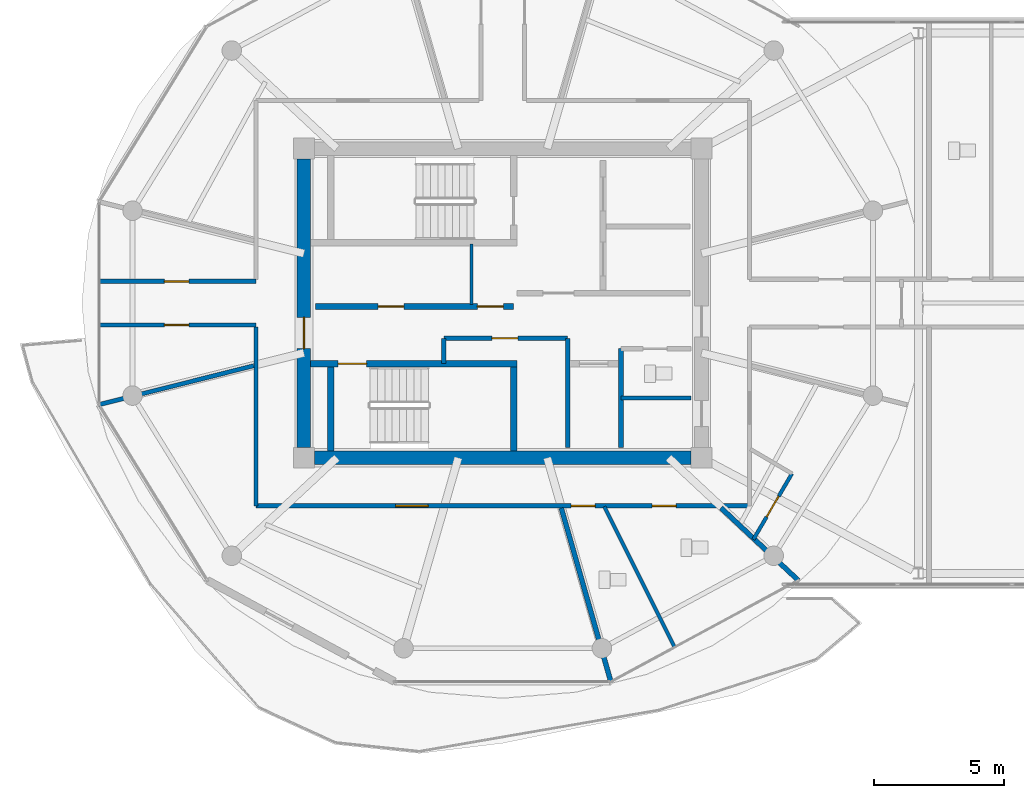
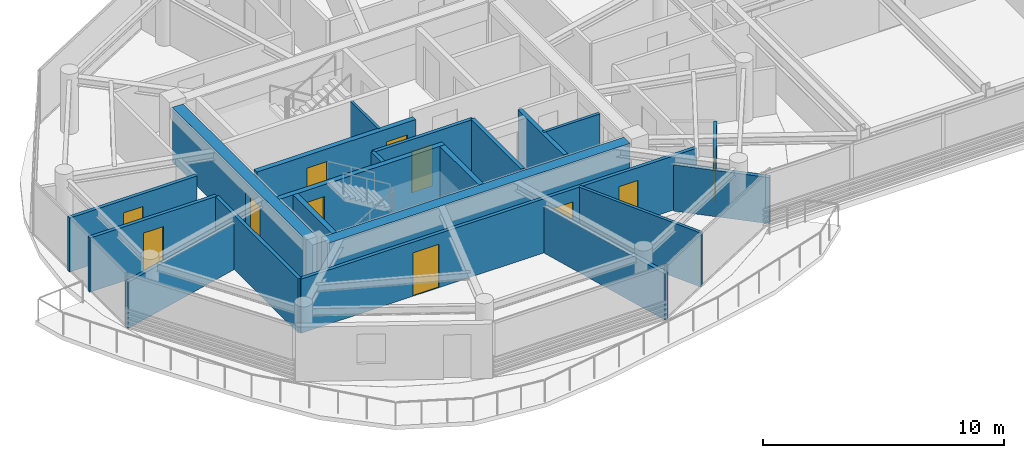
# One storey, part 14 of 24: 21 walls, 11 doors, 11 openings.
"""IFC4 building model written with IfcOpenShell, lengths in metres."""

from ifc_helpers import new_model, si_unit, direction, frame, frame_2d, origin, place, context, subcontext, project, spatial, rectangle, extrude, source, transform, mapped, material, layer, layer_set, type_object, type_shapes, element, fill, save


model = new_model("IFC4")

# Units and contexts
model_context = context("Model", 3, precision=1e-05, world=origin(), true_north=direction((0.0, 1.0)))
body_context = subcontext(model_context, "Body", "Model", "MODEL_VIEW")
ifc_project = project(units=[si_unit("LENGTHUNIT", "METRE"), si_unit("AREAUNIT", "SQUARE_METRE"), si_unit("VOLUMEUNIT", "CUBIC_METRE"), si_unit("PLANEANGLEUNIT", "RADIAN"), si_unit("MASSUNIT", "GRAM", prefix="KILO")], contexts=[model_context])

# Site, building, storey
site_placement = place(None, origin())
site = spatial("IfcSite", under=ifc_project, at=site_placement, CompositionType="ELEMENT")
building_placement = place(site_placement, origin())
building = spatial("IfcBuilding", under=site, at=building_placement, Name="Norrkilde Senior Care Towers", CompositionType="ELEMENT")
storey_placement = place(building_placement, frame((0.0, 0.0, 226.10009765625)))
storey = spatial("IfcBuildingStorey", under=building, at=storey_placement, Name="L70", CompositionType="ELEMENT", Elevation=226.10009765625)

# Wall
ifc_material_1 = material(Name="Concrete C50/60", Category="concrete")
ifc_layer_1 = layer(ifc_material_1, 0.52001953125)
ifc_layer_set_1 = layer_set([ifc_layer_1], Name="Concrete C50/60")
wall_type_1 = type_object("IfcWallType", Name="Core Shear Wall Z4 520", PredefinedType="SHEAR", material=ifc_layer_set_1)
shared_shape_1 = source(origin(), body_context, "Body", "SweptSolid", [
    extrude(rectangle(XDim=14.5, YDim=0.52001953125, at=frame_2d((7.25, 0.0))), origin(), (0.0, 0.0, 1.0), 2.760009765625),
])
wall_1_placement = place(storey_placement, frame((-20.75, -5.949951171875, 0.0), z_axis=(0.0, 0.0, 1.0), x_axis=(-1.0, 0.0, 0.0)))
element("IfcWall", 1, at=wall_1_placement, inside=storey, type_object=wall_type_1, Name="L70 Core W South Shear Wall", PredefinedType="SHEAR", context=body_context, shape_type="MappedRepresentation", body=[
    mapped(shared_shape_1, transform((0.0, 0.0, 0.0), x_axis=(1.0, 0.0, 0.0), y_axis=(0.0, 1.0, 0.0), z_axis=(0.0, 0.0, 1.0), scale=1.0)),
])

# Wall, opening, door
shared_shape_2 = source(origin(), body_context, "Body", "SweptSolid", [
    extrude(rectangle(XDim=11.10009765625, YDim=0.52001953125, at=frame_2d((5.550048828125, 0.0))), origin(), (0.0, 0.0, 1.0), 2.760009765625),
])
type_shapes(wall_type_1, [shared_shape_1, shared_shape_2])
wall_2_placement = place(storey_placement, frame((-35.64990234375, -5.550048828125, 0.0), z_axis=(0.0, 0.0, 1.0), x_axis=(0.0, 1.0, 0.0)))
wall_2 = element("IfcWall", 2, at=wall_2_placement, inside=storey, type_object=wall_type_1, Name="L70 Core W West Shear Wall", PredefinedType="SHEAR", context=body_context, shape_type="MappedRepresentation", body=[
    mapped(shared_shape_2, transform((0.0, 0.0, 0.0), x_axis=(1.0, 0.0, 0.0), y_axis=(0.0, 1.0, 0.0), z_axis=(0.0, 0.0, 1.0), scale=1.0)),
])
opening_1_placement = place(wall_2_placement, frame((3.800048828125, 0.0, 0.0)))
opening_1 = element("IfcOpeningElement", 3, at=opening_1_placement, cuts=wall_2, Name="Opening D-04", PredefinedType="OPENING", context=body_context, shape_type="SweptSolid", body=[
    extrude(rectangle(XDim=1.199951171875, YDim=2.14990234375, at=frame_2d((0.60009765625, 1.074951171875))), frame((0.0, 0.27001953125, 0.0), z_axis=(0.0, -1.0, 0.0), x_axis=(1.0, 0.0, 0.0)), (0.0, 0.0, 1.0), 0.5400390625),
])
ifc_material_2 = material(Name="Galvanised Painted Steel", Category="steel")
door_type_1 = type_object("IfcDoorType", Name="Firefighting Lobby Fire Door 1200x2150", OperationType="NOTDEFINED", PredefinedType="DOOR", material=ifc_material_2)
shared_shape_3 = source(origin(), body_context, "Body", "SweptSolid", [
    extrude(rectangle(XDim=1.199951171875, YDim=2.14990234375, at=frame_2d((0.60009765625, 1.074951171875))), frame((0.0, 0.02490234375, 0.0), z_axis=(0.0, -1.0, 0.0), x_axis=(1.0, 0.0, 0.0)), (0.0, 0.0, 1.0), 0.050048828125),
])
type_shapes(door_type_1, [shared_shape_3])
door_1_placement = place(opening_1_placement, frame((1.199951171875, 0.0, 0.0), z_axis=(0.0, 0.0, 1.0), x_axis=(-1.0, 0.0, 0.0)))
door_1 = element("IfcDoor", 4, at=door_1_placement, inside=storey, type_object=door_type_1, Name="L70 Core W West Portal Door", OperationType="SINGLE_SWING_LEFT", OverallHeight=2.14990234375, OverallWidth=1.199951171875, PredefinedType="DOOR", context=body_context, shape_type="MappedRepresentation", body=[
    mapped(shared_shape_3, transform((0.0, 0.0, 0.0), x_axis=(1.0, 0.0, 0.0), y_axis=(0.0, 1.0, 0.0), z_axis=(0.0, 0.0, 1.0), scale=1.0)),
])
fill(opening_1, door_1)

ifc_material_3 = material(Name="Concrete C45/55", Category="concrete")
ifc_layer_2 = layer(ifc_material_3, 0.239990234375)
ifc_layer_set_2 = layer_set([ifc_layer_2], Name="Concrete C45/55")
wall_type_2 = type_object("IfcWallType", Name="Shaft and Stair Enclosure Wall 240", PredefinedType="PARTITIONING", material=ifc_layer_set_2)
shared_shape_4 = source(origin(), body_context, "Body", "SweptSolid", [
    extrude(rectangle(XDim=7.929931640625, YDim=0.239990234375, at=frame_2d((3.96484375, 0.0))), origin(), (0.0, 0.0, 1.0), 2.760009765625),
])
wall_3_placement = place(storey_placement, frame((-35.389892578125, -2.330078125, 0.0), z_axis=(0.0, 0.0, 1.0), x_axis=(1.0, 0.0, 0.0)))
wall_3 = element("IfcWall", 5, at=wall_3_placement, inside=storey, type_object=wall_type_2, Name="WL-INT-L70-W-ST2N", PredefinedType="PARTITIONING", context=body_context, shape_type="MappedRepresentation", body=[
    mapped(shared_shape_4, transform((0.0, 0.0, 0.0), x_axis=(1.0, 0.0, 0.0), y_axis=(0.0, 1.0, 0.0), z_axis=(0.0, 0.0, 1.0), scale=1.0)),
])
opening_2_placement = place(wall_3_placement, frame((1.050048828125, 0.0, 0.0)))
opening_2 = element("IfcOpeningElement", 6, at=opening_2_placement, cuts=wall_3, Name="Opening D-03", PredefinedType="OPENING", context=body_context, shape_type="SweptSolid", body=[
    extrude(rectangle(XDim=1.10009765625, YDim=2.14990234375, at=frame_2d((0.550048828125, 1.074951171875))), frame((0.0, 0.1298828125, 0.0), z_axis=(0.0, -1.0, 0.0), x_axis=(1.0, 0.0, 0.0)), (0.0, 0.0, 1.0), 0.260009765625),
])
door_type_2 = type_object("IfcDoorType", Name="Stairwell Protected Fire Door 1100x2150", OperationType="NOTDEFINED", PredefinedType="DOOR", material=ifc_material_2)
shared_shape_5 = source(origin(), body_context, "Body", "SweptSolid", [
    extrude(rectangle(XDim=1.10009765625, YDim=2.14990234375, at=frame_2d((0.550048828125, 1.074951171875))), frame((0.0, 0.02490234375, 0.0), z_axis=(0.0, -1.0, 0.0), x_axis=(1.0, 0.0, 0.0)), (0.0, 0.0, 1.0), 0.050048828125),
])
type_shapes(door_type_2, [shared_shape_5])
door_2_placement = place(opening_2_placement, frame((1.10009765625, 0.0, 0.0), z_axis=(0.0, 0.0, 1.0), x_axis=(-1.0, 0.0, 0.0)))
door_2 = element("IfcDoor", 7, at=door_2_placement, inside=storey, type_object=door_type_2, Name="L70 Stair W2 Fire Door", OperationType="SINGLE_SWING_RIGHT", OverallHeight=2.14990234375, OverallWidth=1.10009765625, PredefinedType="DOOR", context=body_context, shape_type="MappedRepresentation", body=[
    mapped(shared_shape_5, transform((0.0, 0.0, 0.0), x_axis=(1.0, 0.0, 0.0), y_axis=(0.0, 1.0, 0.0), z_axis=(0.0, 0.0, 1.0), scale=1.0)),
])
fill(opening_2, door_2)

# Walls
shared_shape_6 = source(origin(), body_context, "Body", "SweptSolid", [
    extrude(rectangle(XDim=3.239990234375, YDim=0.239990234375, at=frame_2d((1.6201171875, 0.0))), origin(), (0.0, 0.0, 1.0), 2.760009765625),
])
type_shapes(wall_type_2, [shared_shape_4, shared_shape_6])
for number, where, z_axis, x_axis, name in (
    (8, (-34.6201171875, -5.68994140625, 0.0), (0.0, 0.0, 1.0), (0.0, 1.0, 0.0), "WL-INT-L70-W-ST2W"),
    (9, (-27.580078125, -5.68994140625, 0.0), (0.0, 0.0, 1.0), (0.0, 1.0, 0.0), "WL-INT-L70-W-ST2E"),
):
    element("IfcWall", number, at=place(storey_placement, frame(where, z_axis=z_axis, x_axis=x_axis)), inside=storey, type_object=wall_type_2, Name=name, PredefinedType="PARTITIONING", context=body_context, shape_type="MappedRepresentation", body=[
        mapped(shared_shape_6, transform((0.0, 0.0, 0.0), x_axis=(1.0, 0.0, 0.0), y_axis=(0.0, 1.0, 0.0), z_axis=(0.0, 0.0, 1.0), scale=1.0)),
    ])
ifc_material_4 = material(Name="Gypsum Acoustic Board")
ifc_layer_3 = layer(ifc_material_4, 0.1650390625)
ifc_layer_set_3 = layer_set([ifc_layer_3], Name="Gypsum Acoustic Board")
wall_type_3 = type_object("IfcWallType", Name="Corridor Rated Partition 165", PredefinedType="PARTITIONING", material=ifc_layer_set_3)
shared_shape_7 = source(origin(), body_context, "Body", "SweptSolid", [
    extrude(rectangle(XDim=6.1572265625, YDim=0.1650390625, at=frame_2d((3.07861328125, 0.0))), origin(), (0.0, 0.0, 1.0), 2.344970703125),
])
wall_4_placement = place(storey_placement, frame((-37.580078125, -2.407470703125, 0.0), z_axis=(0.0, 0.0, 1.0), x_axis=(-0.969840867184, -0.243738984038, 0.0)))
element("IfcWall", 10, at=wall_4_placement, inside=storey, type_object=wall_type_3, Name="WL-INT-L70-W-DEM-06-0", PredefinedType="PARTITIONING", context=body_context, shape_type="MappedRepresentation", body=[
    mapped(shared_shape_7, transform((0.0, 0.0, 0.0), x_axis=(1.0, 0.0, 0.0), y_axis=(0.0, 1.0, 0.0), z_axis=(0.0, 0.0, 1.0), scale=1.0)),
])
ifc_layer_4 = layer(ifc_material_4, 0.18994140625)
ifc_layer_set_4 = layer_set([ifc_layer_4], Name="Gypsum Acoustic Board")
wall_type_4 = type_object("IfcWallType", Name="Unit Demising Acoustic Wall 190", PredefinedType="PARTITIONING", material=ifc_layer_set_4)
shared_shape_8 = source(origin(), body_context, "Body", "SweptSolid", [
    extrude(rectangle(XDim=4.089111328125, YDim=0.18994140625, at=frame_2d((2.04443359375, 0.0))), origin(), (0.0, 0.0, 1.0), 2.344970703125),
])
wall_5_placement = place(storey_placement, frame((-19.59814453125, -7.8798828125, 0.0), z_axis=(0.0, 0.0, 1.0), x_axis=(0.729401273609, -0.684086092577, 0.0)))
element("IfcWall", 11, at=wall_5_placement, inside=storey, type_object=wall_type_4, Name="WL-INT-L70-W-DEM-10-0", PredefinedType="PARTITIONING", context=body_context, shape_type="MappedRepresentation", body=[
    mapped(shared_shape_8, transform((0.0, 0.0, 0.0), x_axis=(1.0, 0.0, 0.0), y_axis=(0.0, 1.0, 0.0), z_axis=(0.0, 0.0, 1.0), scale=1.0)),
])
shared_shape_9 = source(origin(), body_context, "Body", "SweptSolid", [
    extrude(rectangle(XDim=6.973876953125, YDim=0.18994140625, at=frame_2d((3.48681640625, 0.0))), origin(), (0.0, 0.0, 1.0), 2.344970703125),
])
type_shapes(wall_type_4, [shared_shape_8, shared_shape_9])
wall_6_placement = place(storey_placement, frame((-25.748779296875, -7.8798828125, 0.0), z_axis=(0.0, 0.0, 1.0), x_axis=(0.274707256801, -0.961527910703, 0.0)))
element("IfcWall", 12, at=wall_6_placement, inside=storey, type_object=wall_type_4, Name="WL-INT-L70-W-DEM-09-0", PredefinedType="PARTITIONING", context=body_context, shape_type="MappedRepresentation", body=[
    mapped(shared_shape_9, transform((0.0, 0.0, 0.0), x_axis=(1.0, 0.0, 0.0), y_axis=(0.0, 1.0, 0.0), z_axis=(0.0, 0.0, 1.0), scale=1.0)),
])

# Wall, openings, doors
ifc_layer_5 = layer(ifc_material_3, 0.239990234375)
ifc_layer_set_5 = layer_set([ifc_layer_5], Name="Concrete C45/55")
wall_type_5 = type_object("IfcWallType", Name="Lift and Plant Rated Enclosure Partition 240", PredefinedType="PARTITIONING", material=ifc_layer_set_5)
shared_shape_10 = source(origin(), body_context, "Body", "SweptSolid", [
    extrude(rectangle(XDim=7.619873046875, YDim=0.239990234375, at=frame_2d((3.81005859375, 0.0))), origin(), (0.0, 0.0, 1.0), 2.744873046875),
])
type_shapes(wall_type_5, [shared_shape_10])
wall_7_placement = place(storey_placement, frame((-35.199951171875, -0.1298828125, 0.0), z_axis=(0.0, 0.0, 1.0), x_axis=(1.0, 0.0, 0.0)))
wall_7 = element("IfcWall", 13, at=wall_7_placement, inside=storey, type_object=wall_type_5, Name="WL-INT-L70-W-PKAS", PredefinedType="PARTITIONING", context=body_context, shape_type="MappedRepresentation", body=[
    mapped(shared_shape_10, transform((0.0, 0.0, 0.0), x_axis=(1.0, 0.0, 0.0), y_axis=(0.0, 1.0, 0.0), z_axis=(0.0, 0.0, 1.0), scale=1.0)),
])
opening_3_placement = place(wall_7_placement, frame((6.219970703125, 0.0, 0.0)))
opening_3 = element("IfcOpeningElement", 14, at=opening_3_placement, cuts=wall_7, Name="Opening D-10", PredefinedType="OPENING", context=body_context, shape_type="SweptSolid", body=[
    extrude(rectangle(XDim=1.0, YDim=2.10009765625, at=frame_2d((0.5, 1.050048828125))), frame((0.0, 0.1298828125, 0.0), z_axis=(0.0, -1.0, 0.0), x_axis=(1.0, 0.0, 0.0)), (0.0, 0.0, 1.0), 0.260009765625),
])
opening_4_placement = place(wall_7_placement, frame((2.39990234375, 0.0, 0.0)))
opening_4 = element("IfcOpeningElement", 15, at=opening_4_placement, cuts=wall_7, Name="Opening D-10", PredefinedType="OPENING", context=body_context, shape_type="SweptSolid", body=[
    extrude(rectangle(XDim=1.0, YDim=2.10009765625, at=frame_2d((0.5, 1.050048828125))), frame((0.0, 0.1298828125, 0.0), z_axis=(0.0, -1.0, 0.0), x_axis=(1.0, 0.0, 0.0)), (0.0, 0.0, 1.0), 0.260009765625),
])
door_type_3 = type_object("IfcDoorType", Name="Plant and Riser Rated Door 1000x2100", OperationType="NOTDEFINED", PredefinedType="DOOR", material=ifc_material_2)
shared_shape_11 = source(origin(), body_context, "Body", "SweptSolid", [
    extrude(rectangle(XDim=1.0, YDim=2.10009765625, at=frame_2d((0.5, 1.050048828125))), frame((0.0, 0.02490234375, 0.0), z_axis=(0.0, -1.0, 0.0), x_axis=(1.0, 0.0, 0.0)), (0.0, 0.0, 1.0), 0.050048828125),
])
type_shapes(door_type_3, [shared_shape_11])
door_3_placement = place(opening_3_placement, frame((1.0, 0.0, 0.0), z_axis=(0.0, 0.0, 1.0), x_axis=(-1.0, 0.0, 0.0)))
door_3 = element("IfcDoor", 16, at=door_3_placement, inside=storey, type_object=door_type_3, Name="L70 Electrical Riser W Door", OperationType="SINGLE_SWING_LEFT", OverallHeight=2.10009765625, OverallWidth=1.0, PredefinedType="DOOR", context=body_context, shape_type="MappedRepresentation", body=[
    mapped(shared_shape_11, transform((0.0, 0.0, 0.0), x_axis=(1.0, 0.0, 0.0), y_axis=(0.0, 1.0, 0.0), z_axis=(0.0, 0.0, 1.0), scale=1.0)),
])
fill(opening_3, door_3)
door_4_placement = place(opening_4_placement, frame((1.0, 0.0, 0.0), z_axis=(0.0, 0.0, 1.0), x_axis=(-1.0, 0.0, 0.0)))
door_4 = element("IfcDoor", 17, at=door_4_placement, inside=storey, type_object=door_type_3, Name="L70 Clean Supply Store W Door", OperationType="SINGLE_SWING_LEFT", OverallHeight=2.10009765625, OverallWidth=1.0, PredefinedType="DOOR", context=body_context, shape_type="MappedRepresentation", body=[
    mapped(shared_shape_11, transform((0.0, 0.0, 0.0), x_axis=(1.0, 0.0, 0.0), y_axis=(0.0, 1.0, 0.0), z_axis=(0.0, 0.0, 1.0), scale=1.0)),
])
fill(opening_4, door_4)

# Walls
ifc_layer_6 = layer(ifc_material_4, 0.114990234375)
ifc_layer_set_6 = layer_set([ifc_layer_6], Name="Gypsum Acoustic Board")
wall_type_6 = type_object("IfcWallType", Name="Internal Room Partition 115", PredefinedType="PARTITIONING", material=ifc_layer_set_6)
shared_shape_12 = source(origin(), body_context, "Body", "SweptSolid", [
    extrude(rectangle(XDim=2.330078125, YDim=0.114990234375, at=frame_2d((1.1650390625, 0.0))), origin(), (0.0, 0.0, 1.0), 2.744873046875),
])
type_shapes(wall_type_6, [shared_shape_12])
wall_8_placement = place(storey_placement, frame((-29.2099609375, -0.050048828125, 0.0), z_axis=(0.0, 0.0, 1.0), x_axis=(0.0, 1.0, 0.0)))
element("IfcWall", 18, at=wall_8_placement, inside=storey, type_object=wall_type_6, Name="WL-INT-L70-W-RISW", PredefinedType="PARTITIONING", context=body_context, shape_type="MappedRepresentation", body=[
    mapped(shared_shape_12, transform((0.0, 0.0, 0.0), x_axis=(1.0, 0.0, 0.0), y_axis=(0.0, 1.0, 0.0), z_axis=(0.0, 0.0, 1.0), scale=1.0)),
])
ifc_layer_7 = layer(ifc_material_3, 0.199951171875)
ifc_layer_set_7 = layer_set([ifc_layer_7], Name="Concrete C45/55")
wall_type_7 = type_object("IfcWallType", Name="Shaft Division and Plant Partition 200", PredefinedType="PARTITIONING", material=ifc_layer_set_7)
shared_shape_13 = source(origin(), body_context, "Body", "SweptSolid", [
    extrude(rectangle(XDim=3.800048828125, YDim=0.199951171875, at=frame_2d((1.89990234375, 0.0))), origin(), (0.0, 0.0, 1.0), 2.744873046875),
])
type_shapes(wall_type_7, [shared_shape_13])
wall_9_placement = place(storey_placement, frame((-23.449951171875, -5.550048828125, 0.0), z_axis=(0.0, 0.0, 1.0), x_axis=(0.0, 1.0, 0.0)))
element("IfcWall", 19, at=wall_9_placement, inside=storey, type_object=wall_type_7, Name="WL-INT-L70-W-PKBE", PredefinedType="PARTITIONING", context=body_context, shape_type="MappedRepresentation", body=[
    mapped(shared_shape_13, transform((0.0, 0.0, 0.0), x_axis=(1.0, 0.0, 0.0), y_axis=(0.0, 1.0, 0.0), z_axis=(0.0, 0.0, 1.0), scale=1.0)),
])
ifc_layer_8 = layer(ifc_material_3, 0.179931640625)
ifc_layer_set_8 = layer_set([ifc_layer_8], Name="Concrete C45/55")
wall_type_8 = type_object("IfcWallType", Name="Hoistway Division Rated Partition 180", PredefinedType="PARTITIONING", material=ifc_layer_set_8)
shared_shape_14 = source(origin(), body_context, "Body", "SweptSolid", [
    extrude(rectangle(XDim=4.199951171875, YDim=0.179931640625, at=frame_2d((2.10009765625, 0.0))), origin(), (0.0, 0.0, 1.0), 2.744873046875),
])
type_shapes(wall_type_8, [shared_shape_14])
wall_10_placement = place(storey_placement, frame((-25.5, -5.550048828125, 0.0), z_axis=(0.0, 0.0, 1.0), x_axis=(0.0, 1.0, 0.0)))
element("IfcWall", 20, at=wall_10_placement, inside=storey, type_object=wall_type_8, Name="WL-INT-L70-W-PL4W", PredefinedType="PARTITIONING", context=body_context, shape_type="MappedRepresentation", body=[
    mapped(shared_shape_14, transform((0.0, 0.0, 0.0), x_axis=(1.0, 0.0, 0.0), y_axis=(0.0, 1.0, 0.0), z_axis=(0.0, 0.0, 1.0), scale=1.0)),
])

# Wall, opening, door
shared_shape_15 = source(origin(), body_context, "Body", "SweptSolid", [
    extrude(rectangle(XDim=4.77001953125, YDim=0.1650390625, at=frame_2d((2.385009765625, 0.0))), origin(), (0.0, 0.0, 1.0), 2.744873046875),
])
wall_11_placement = place(storey_placement, frame((-30.27001953125, -1.35009765625, 0.0), z_axis=(0.0, 0.0, 1.0), x_axis=(1.0, 0.0, 0.0)))
wall_11 = element("IfcWall", 21, at=wall_11_placement, inside=storey, type_object=wall_type_3, Name="WL-INT-L70-W-FR2N", PredefinedType="PARTITIONING", context=body_context, shape_type="MappedRepresentation", body=[
    mapped(shared_shape_15, transform((0.0, 0.0, 0.0), x_axis=(1.0, 0.0, 0.0), y_axis=(0.0, 1.0, 0.0), z_axis=(0.0, 0.0, 1.0), scale=1.0)),
])
opening_5_placement = place(wall_11_placement, frame((1.85009765625, 0.0, 0.0)))
opening_5 = element("IfcOpeningElement", 22, at=opening_5_placement, cuts=wall_11, Name="Opening D-10", PredefinedType="OPENING", context=body_context, shape_type="SweptSolid", body=[
    extrude(rectangle(XDim=1.0, YDim=2.10009765625, at=frame_2d((0.5, 1.050048828125))), frame((0.0, 0.092529296875, 0.0), z_axis=(0.0, -1.0, 0.0), x_axis=(1.0, 0.0, 0.0)), (0.0, 0.0, 1.0), 0.18505859375),
])
door_5_placement = place(opening_5_placement, origin())
door_5 = element("IfcDoor", 23, at=door_5_placement, inside=storey, type_object=door_type_3, Name="L70 Core Pantry W Door", OperationType="SINGLE_SWING_RIGHT", OverallHeight=2.10009765625, OverallWidth=1.0, PredefinedType="DOOR", context=body_context, shape_type="MappedRepresentation", body=[
    mapped(shared_shape_11, transform((0.0, 0.0, 0.0), x_axis=(1.0, 0.0, 0.0), y_axis=(0.0, 1.0, 0.0), z_axis=(0.0, 0.0, 1.0), scale=1.0)),
])
fill(opening_5, door_5)

# Walls
shared_shape_16 = source(origin(), body_context, "Body", "SweptSolid", [
    extrude(rectangle(XDim=0.97998046875, YDim=0.1650390625, at=frame_2d((0.489990234375, 0.0))), origin(), (0.0, 0.0, 1.0), 2.744873046875),
])
wall_12_placement = place(storey_placement, frame((-30.27001953125, -2.330078125, 0.0), z_axis=(0.0, 0.0, 1.0), x_axis=(0.0, 1.0, 0.0)))
element("IfcWall", 24, at=wall_12_placement, inside=storey, type_object=wall_type_3, Name="WL-INT-L70-W-FR2W", PredefinedType="PARTITIONING", context=body_context, shape_type="MappedRepresentation", body=[
    mapped(shared_shape_16, transform((0.0, 0.0, 0.0), x_axis=(1.0, 0.0, 0.0), y_axis=(0.0, 1.0, 0.0), z_axis=(0.0, 0.0, 1.0), scale=1.0)),
])
ifc_layer_9 = layer(ifc_material_4, 0.139892578125)
ifc_layer_set_9 = layer_set([ifc_layer_9], Name="Gypsum Acoustic Board")
wall_type_9 = type_object("IfcWallType", Name="En-suite Wet Room Wall 140", PredefinedType="PARTITIONING", material=ifc_layer_set_9)
shared_shape_17 = source(origin(), body_context, "Body", "SweptSolid", [
    extrude(rectangle(XDim=2.699951171875, YDim=0.139892578125, at=frame_2d((1.35009765625, 0.0))), origin(), (0.0, 0.0, 1.0), 2.744873046875),
])
wall_13_placement = place(storey_placement, frame((-23.449951171875, -3.64990234375, 0.0), z_axis=(0.0, 0.0, 1.0), x_axis=(1.0, 0.0, 0.0)))
element("IfcWall", 25, at=wall_13_placement, inside=storey, type_object=wall_type_9, Name="WL-INT-L70-W-CS2H", PredefinedType="PARTITIONING", context=body_context, shape_type="MappedRepresentation", body=[
    mapped(shared_shape_17, transform((0.0, 0.0, 0.0), x_axis=(1.0, 0.0, 0.0), y_axis=(0.0, 1.0, 0.0), z_axis=(0.0, 0.0, 1.0), scale=1.0)),
])

# Wall, openings, doors
shared_shape_18 = source(origin(), body_context, "Body", "SweptSolid", [
    extrude(rectangle(XDim=19.0, YDim=0.1650390625, at=frame_2d((9.5, 0.0))), origin(), (0.0, 0.0, 1.0), 2.744873046875),
])
wall_14_placement = place(storey_placement, frame((-18.5, -7.800048828125, 0.0), z_axis=(0.0, 0.0, 1.0), x_axis=(-1.0, 0.0, 0.0)))
wall_14 = element("IfcWall", 26, at=wall_14_placement, inside=storey, type_object=wall_type_3, Name="WL-INT-L70-W-CRW-S-0", PredefinedType="PARTITIONING", context=body_context, shape_type="MappedRepresentation", body=[
    mapped(shared_shape_18, transform((0.0, 0.0, 0.0), x_axis=(1.0, 0.0, 0.0), y_axis=(0.0, 1.0, 0.0), z_axis=(0.0, 0.0, 1.0), scale=1.0)),
])
opening_6_placement = place(wall_14_placement, frame((12.373291015625, 0.0, 0.0)))
opening_6 = element("IfcOpeningElement", 27, at=opening_6_placement, cuts=wall_14, Name="Opening D-05", PredefinedType="OPENING", context=body_context, shape_type="SweptSolid", body=[
    extrude(rectangle(XDim=1.25, YDim=2.199951171875, at=frame_2d((0.625, 1.10009765625))), frame((0.0, 0.092529296875, 0.0), z_axis=(0.0, -1.0, 0.0), x_axis=(1.0, 0.0, 0.0)), (0.0, 0.0, 1.0), 0.18505859375),
])
opening_7_placement = place(wall_14_placement, frame((5.94580078125, 0.0, 0.0)))
opening_7 = element("IfcOpeningElement", 28, at=opening_7_placement, cuts=wall_14, Name="Opening D-08", PredefinedType="OPENING", context=body_context, shape_type="SweptSolid", body=[
    extrude(rectangle(XDim=0.919921875, YDim=2.10009765625, at=frame_2d((0.4599609375, 1.050048828125))), frame((0.0, 0.092529296875, 0.0), z_axis=(0.0, -1.0, 0.0), x_axis=(1.0, 0.0, 0.0)), (0.0, 0.0, 1.0), 0.18505859375),
])
opening_8_placement = place(wall_14_placement, frame((2.830322265625, 0.0, 0.0)))
opening_8 = element("IfcOpeningElement", 29, at=opening_8_placement, cuts=wall_14, Name="Opening D-08", PredefinedType="OPENING", context=body_context, shape_type="SweptSolid", body=[
    extrude(rectangle(XDim=0.919921875, YDim=2.10009765625, at=frame_2d((0.4599609375, 1.050048828125))), frame((0.0, 0.092529296875, 0.0), z_axis=(0.0, -1.0, 0.0), x_axis=(1.0, 0.0, 0.0)), (0.0, 0.0, 1.0), 0.18505859375),
])
ifc_material_5 = material(Name="Nordic Ash Timber", Category="wood")
door_type_4 = type_object("IfcDoorType", Name="Care Bedroom Bariatric Door 1250x2200", OperationType="NOTDEFINED", PredefinedType="DOOR", material=ifc_material_5)
shared_shape_19 = source(origin(), body_context, "Body", "SweptSolid", [
    extrude(rectangle(XDim=1.25, YDim=2.199951171875, at=frame_2d((0.625, 1.10009765625))), frame((0.0, 0.02490234375, 0.0), z_axis=(0.0, -1.0, 0.0), x_axis=(1.0, 0.0, 0.0)), (0.0, 0.0, 1.0), 0.050048828125),
])
type_shapes(door_type_4, [shared_shape_19])
door_6_placement = place(opening_6_placement, frame((1.25, 0.0, 0.0), z_axis=(0.0, 0.0, 1.0), x_axis=(-1.0, 0.0, 0.0)))
door_6 = element("IfcDoor", 30, at=door_6_placement, inside=storey, type_object=door_type_4, Name="L70 Resident Therapeutic Day Lounge Door", OperationType="SINGLE_SWING_LEFT", OverallHeight=2.199951171875, OverallWidth=1.25, PredefinedType="DOOR", context=body_context, shape_type="MappedRepresentation", body=[
    mapped(shared_shape_19, transform((0.0, 0.0, 0.0), x_axis=(1.0, 0.0, 0.0), y_axis=(0.0, 1.0, 0.0), z_axis=(0.0, 0.0, 1.0), scale=1.0)),
])
fill(opening_6, door_6)
door_type_5 = type_object("IfcDoorType", Name="Accessible Wet Room Door 920x2100", OperationType="NOTDEFINED", PredefinedType="DOOR", material=ifc_material_5)
shared_shape_20 = source(origin(), body_context, "Body", "SweptSolid", [
    extrude(rectangle(XDim=0.919921875, YDim=2.10009765625, at=frame_2d((0.4599609375, 1.050048828125))), frame((0.0, 0.02490234375, 0.0), z_axis=(0.0, -1.0, 0.0), x_axis=(1.0, 0.0, 0.0)), (0.0, 0.0, 1.0), 0.050048828125),
])
type_shapes(door_type_5, [shared_shape_20])
door_7_placement = place(opening_7_placement, frame((0.919921875, 0.0, 0.0), z_axis=(0.0, 0.0, 1.0), x_axis=(-1.0, 0.0, 0.0)))
door_7 = element("IfcDoor", 31, at=door_7_placement, inside=storey, type_object=door_type_5, Name="L70 Accessible Restroom Door", OperationType="SINGLE_SWING_RIGHT", OverallHeight=2.10009765625, OverallWidth=0.919921875, PredefinedType="DOOR", context=body_context, shape_type="MappedRepresentation", body=[
    mapped(shared_shape_20, transform((0.0, 0.0, 0.0), x_axis=(1.0, 0.0, 0.0), y_axis=(0.0, 1.0, 0.0), z_axis=(0.0, 0.0, 1.0), scale=1.0)),
])
fill(opening_7, door_7)
door_8_placement = place(opening_8_placement, frame((0.919921875, 0.0, 0.0), z_axis=(0.0, 0.0, 1.0), x_axis=(-1.0, 0.0, 0.0)))
door_8 = element("IfcDoor", 32, at=door_8_placement, inside=storey, type_object=door_type_5, Name="L70 Public Restroom Door", OperationType="SINGLE_SWING_LEFT", OverallHeight=2.10009765625, OverallWidth=0.919921875, PredefinedType="DOOR", context=body_context, shape_type="MappedRepresentation", body=[
    mapped(shared_shape_20, transform((0.0, 0.0, 0.0), x_axis=(1.0, 0.0, 0.0), y_axis=(0.0, 1.0, 0.0), z_axis=(0.0, 0.0, 1.0), scale=1.0)),
])
fill(opening_8, door_8)

# Wall
shared_shape_21 = source(origin(), body_context, "Body", "SweptSolid", [
    extrude(rectangle(XDim=6.880126953125, YDim=0.1650390625, at=frame_2d((3.43994140625, 0.0))), origin(), (0.0, 0.0, 1.0), 2.744873046875),
])
wall_15_placement = place(storey_placement, frame((-37.5, -7.800048828125, 0.0), z_axis=(0.0, 0.0, 1.0), x_axis=(0.0, 1.0, 0.0)))
element("IfcWall", 33, at=wall_15_placement, inside=storey, type_object=wall_type_3, Name="WL-INT-L70-W-CRW-W-0", PredefinedType="PARTITIONING", context=body_context, shape_type="MappedRepresentation", body=[
    mapped(shared_shape_21, transform((0.0, 0.0, 0.0), x_axis=(1.0, 0.0, 0.0), y_axis=(0.0, 1.0, 0.0), z_axis=(0.0, 0.0, 1.0), scale=1.0)),
])

# Wall, opening, door
shared_shape_22 = source(origin(), body_context, "Body", "SweptSolid", [
    extrude(rectangle(XDim=6.101318359375, YDim=0.1650390625, at=frame_2d((3.05078125, 0.0))), origin(), (0.0, 0.0, 1.0), 2.744873046875),
])
type_shapes(wall_type_3, [shared_shape_7, shared_shape_15, shared_shape_16, shared_shape_18, shared_shape_21, shared_shape_22])
wall_16_placement = place(storey_placement, frame((-43.601318359375, 0.840087890625, 0.0), z_axis=(0.0, 0.0, 1.0), x_axis=(1.0, 0.0, 0.0)))
wall_16 = element("IfcWall", 34, at=wall_16_placement, inside=storey, type_object=wall_type_3, Name="WL-INT-L70-W-SPK-W1-0", PredefinedType="PARTITIONING", context=body_context, shape_type="MappedRepresentation", body=[
    mapped(shared_shape_22, transform((0.0, 0.0, 0.0), x_axis=(1.0, 0.0, 0.0), y_axis=(0.0, 1.0, 0.0), z_axis=(0.0, 0.0, 1.0), scale=1.0)),
])
opening_9_placement = place(wall_16_placement, frame((2.57568359375, 0.0, 0.0)))
opening_9 = element("IfcOpeningElement", 35, at=opening_9_placement, cuts=wall_16, Name="Opening D-07", PredefinedType="OPENING", context=body_context, shape_type="SweptSolid", body=[
    extrude(rectangle(XDim=0.949951171875, YDim=2.10009765625, at=frame_2d((0.47509765625, 1.050048828125))), frame((0.0, 0.092529296875, 0.0), z_axis=(0.0, -1.0, 0.0), x_axis=(1.0, 0.0, 0.0)), (0.0, 0.0, 1.0), 0.18505859375),
])
door_type_6 = type_object("IfcDoorType", Name="Internal Suite Bedroom Door 950x2100", OperationType="NOTDEFINED", PredefinedType="DOOR", material=ifc_material_5)
shared_shape_23 = source(origin(), body_context, "Body", "SweptSolid", [
    extrude(rectangle(XDim=0.949951171875, YDim=2.10009765625, at=frame_2d((0.47509765625, 1.050048828125))), frame((0.0, 0.02490234375, 0.0), z_axis=(0.0, -1.0, 0.0), x_axis=(1.0, 0.0, 0.0)), (0.0, 0.0, 1.0), 0.050048828125),
])
type_shapes(door_type_6, [shared_shape_23])
door_9_placement = place(opening_9_placement, frame((0.949951171875, 0.0, 0.0), z_axis=(0.0, 0.0, 1.0), x_axis=(-1.0, 0.0, 0.0)))
door_9 = element("IfcDoor", 36, at=door_9_placement, inside=storey, type_object=door_type_6, Name="L70 Sun Reading Lounge 2 Door", OperationType="SINGLE_SWING_LEFT", OverallHeight=2.10009765625, OverallWidth=0.949951171875, PredefinedType="DOOR", context=body_context, shape_type="MappedRepresentation", body=[
    mapped(shared_shape_23, transform((0.0, 0.0, 0.0), x_axis=(1.0, 0.0, 0.0), y_axis=(0.0, 1.0, 0.0), z_axis=(0.0, 0.0, 1.0), scale=1.0)),
])
fill(opening_9, door_9)

wall_17_placement = place(storey_placement, frame((-37.5, -0.840087890625, 0.0), z_axis=(0.0, 0.0, 1.0), x_axis=(-1.0, 0.0, 0.0)))
wall_17 = element("IfcWall", 37, at=wall_17_placement, inside=storey, type_object=wall_type_3, Name="WL-INT-L70-W-SPK-W2-0", PredefinedType="PARTITIONING", context=body_context, shape_type="MappedRepresentation", body=[
    mapped(shared_shape_22, transform((0.0, 0.0, 0.0), x_axis=(1.0, 0.0, 0.0), y_axis=(0.0, 1.0, 0.0), z_axis=(0.0, 0.0, 1.0), scale=1.0)),
])
opening_10_placement = place(wall_17_placement, frame((2.57568359375, 0.0, 0.0)))
opening_10 = element("IfcOpeningElement", 38, at=opening_10_placement, cuts=wall_17, Name="Opening D-07", PredefinedType="OPENING", context=body_context, shape_type="SweptSolid", body=[
    extrude(rectangle(XDim=0.949951171875, YDim=2.10009765625, at=frame_2d((0.47509765625, 1.050048828125))), frame((0.0, 0.092529296875, 0.0), z_axis=(0.0, -1.0, 0.0), x_axis=(1.0, 0.0, 0.0)), (0.0, 0.0, 1.0), 0.18505859375),
])
door_10_placement = place(opening_10_placement, frame((0.949951171875, 0.0, 0.0), z_axis=(0.0, 0.0, 1.0), x_axis=(-1.0, 0.0, 0.0)))
door_10 = element("IfcDoor", 39, at=door_10_placement, inside=storey, type_object=door_type_6, Name="L70 Sun Reading Lounge 1 Door", OperationType="SINGLE_SWING_RIGHT", OverallHeight=2.10009765625, OverallWidth=0.949951171875, PredefinedType="DOOR", context=body_context, shape_type="MappedRepresentation", body=[
    mapped(shared_shape_23, transform((0.0, 0.0, 0.0), x_axis=(1.0, 0.0, 0.0), y_axis=(0.0, 1.0, 0.0), z_axis=(0.0, 0.0, 1.0), scale=1.0)),
])
fill(opening_10, door_10)

# Wall
shared_shape_24 = source(origin(), body_context, "Body", "SweptSolid", [
    extrude(rectangle(XDim=6.067138671875, YDim=0.139892578125, at=frame_2d((3.03369140625, 0.0))), origin(), (0.0, 0.0, 1.0), 2.744873046875),
])
wall_18_placement = place(storey_placement, frame((-24.0927734375, -7.830078125, 0.0), z_axis=(0.0, 0.0, 1.0), x_axis=(0.447261882231, -0.894403046005, 0.0)))
element("IfcWall", 40, at=wall_18_placement, inside=storey, type_object=wall_type_9, Name="WL-INT-L70-W-MID-09", PredefinedType="PARTITIONING", context=body_context, shape_type="MappedRepresentation", body=[
    mapped(shared_shape_24, transform((0.0, 0.0, 0.0), x_axis=(1.0, 0.0, 0.0), y_axis=(0.0, 1.0, 0.0), z_axis=(0.0, 0.0, 1.0), scale=1.0)),
])

# Wall, opening, door
shared_shape_25 = source(origin(), body_context, "Body", "SweptSolid", [
    extrude(rectangle(XDim=2.939453125, YDim=0.139892578125, at=frame_2d((1.4697265625, 0.0))), origin(), (0.0, 0.0, 1.0), 2.744873046875),
])
type_shapes(wall_type_9, [shared_shape_17, shared_shape_24, shared_shape_25])
wall_19_placement = place(storey_placement, frame((-16.8681640625, -6.559326171875, 0.0), z_axis=(0.0, 0.0, 1.0), x_axis=(-0.505883614636, -0.862601743821, 0.0)))
wall_19 = element("IfcWall", 41, at=wall_19_placement, inside=storey, type_object=wall_type_9, Name="WL-INT-L70-W-EF-10", PredefinedType="PARTITIONING", context=body_context, shape_type="MappedRepresentation", body=[
    mapped(shared_shape_25, transform((0.0, 0.0, 0.0), x_axis=(1.0, 0.0, 0.0), y_axis=(0.0, 1.0, 0.0), z_axis=(0.0, 0.0, 1.0), scale=1.0)),
])
opening_11_placement = place(wall_19_placement, frame((1.009765625, 0.0, 0.0)))
opening_11 = element("IfcOpeningElement", 42, at=opening_11_placement, cuts=wall_19, Name="Opening D-08", PredefinedType="OPENING", context=body_context, shape_type="SweptSolid", body=[
    extrude(rectangle(XDim=0.919921875, YDim=2.10009765625, at=frame_2d((0.4599609375, 1.050048828125))), frame((0.0, 0.079833984375, 0.0), z_axis=(0.0, -1.0, 0.0), x_axis=(1.0, 0.0, 0.0)), (0.0, 0.0, 1.0), 0.159912109375),
])
door_11_placement = place(opening_11_placement, origin())
door_11 = element("IfcDoor", 43, at=door_11_placement, inside=storey, type_object=door_type_5, Name="L70 Care Suite 7010 Bathroom Door", OperationType="SINGLE_SWING_RIGHT", OverallHeight=2.10009765625, OverallWidth=0.919921875, PredefinedType="DOOR", context=body_context, shape_type="MappedRepresentation", body=[
    mapped(shared_shape_20, transform((0.0, 0.0, 0.0), x_axis=(1.0, 0.0, 0.0), y_axis=(0.0, 1.0, 0.0), z_axis=(0.0, 0.0, 1.0), scale=1.0)),
])
fill(opening_11, door_11)

save(model, "model.ifc")
